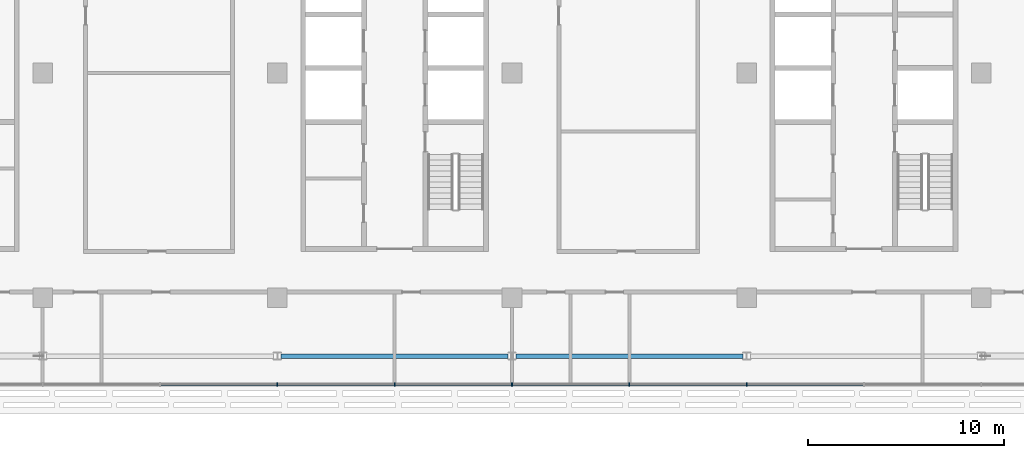
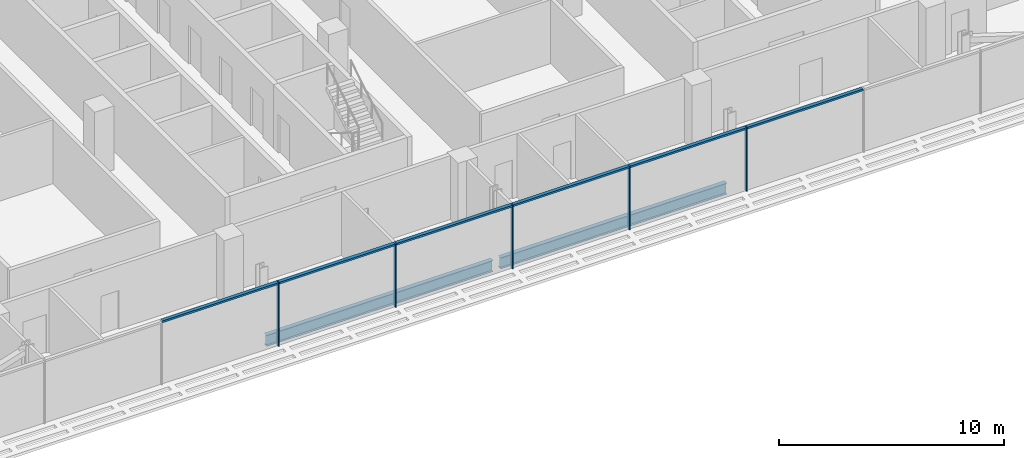
# One storey, part 8 of 32: 11 members, 2 beams, 1 element without a shape of its own.
"""IFC4 building model written with IfcOpenShell, lengths in metres."""

from ifc_helpers import new_model, si_unit, direction, frame, origin, origin_2d, place, context, subcontext, project, spatial, rectangle, i_section, extrude, material, material_profile, profile_set, type_object, element, aggregate, save


model = new_model("IFC4")

# Units and contexts
model_context = context("Model", 3, precision=1e-05, world=origin(), true_north=direction((0.0, 1.0)))
body_context = subcontext(model_context, "Body", "Model", "MODEL_VIEW")
ifc_project = project(units=[si_unit("LENGTHUNIT", "METRE"), si_unit("AREAUNIT", "SQUARE_METRE"), si_unit("VOLUMEUNIT", "CUBIC_METRE"), si_unit("PLANEANGLEUNIT", "RADIAN"), si_unit("MASSUNIT", "GRAM", prefix="KILO")], contexts=[model_context])

# Site, building, storey
site_placement = place(None, origin())
site = spatial("IfcSite", under=ifc_project, at=site_placement, CompositionType="ELEMENT")
building_placement = place(site_placement, origin())
building = spatial("IfcBuilding", under=site, at=building_placement, Name="Mahtab Terrace Research Tower", CompositionType="ELEMENT")
storey_placement = place(building_placement, frame((0.0, 0.0, 240.0)))
storey = spatial("IfcBuildingStorey", under=building, at=storey_placement, Name="L58", CompositionType="ELEMENT", Elevation=240.0)

# Curtain wall, members
ifc_material_1 = material(Name="Office ribbon curtain wall")
curtain_wall_type = type_object("IfcCurtainWallType", Name="Office ribbon curtain wall", PredefinedType="NOTDEFINED", material=ifc_material_1)
curtain_wall_placement = place(storey_placement, origin())
curtain_wall = element("IfcCurtainWall", 1, at=curtain_wall_placement, inside=storey, type_object=curtain_wall_type, Name="EN.L58.13.16", PredefinedType="NOTDEFINED")
ifc_material_2 = material(Name="Natural anodised aluminium", Category="aluminium")
ifc_material_profile_1 = material_profile(ifc_material_2, rectangle(XDim=0.179931640625, YDim=0.06005859375, at=origin_2d()), Name="MULLION 60x180")
ifc_profile_set_1 = profile_set([ifc_material_profile_1], Name="Natural anodised aluminium")
member_type_1 = type_object("IfcMemberType", Name="Office ribbon curtain wall mullion", PredefinedType="MULLION", material=ifc_profile_set_1)
member_1_placement = place(storey_placement, frame((-6.0, -15.9169921875, 0.0), z_axis=(0.0, 0.0, 1.0), x_axis=(0.0, 1.0, 0.0)))
member_1 = element("IfcMember", 2, at=member_1_placement, type_object=member_type_1, Name="CWO-7 mullion 6", PredefinedType="MULLION", context=body_context, shape_type="SweptSolid", body=[
    extrude(rectangle(XDim=0.179931640625, YDim=0.06005859375, at=origin_2d()), origin(), (0.0, 0.0, 1.0), 3.4599609375),
])
member_2_placement = place(storey_placement, frame((0.0, -15.9169921875, 0.0), z_axis=(0.0, 0.0, 1.0), x_axis=(0.0, 1.0, 0.0)))
member_2 = element("IfcMember", 3, at=member_2_placement, type_object=member_type_1, Name="CWO-7 mullion 7", PredefinedType="MULLION", context=body_context, shape_type="SweptSolid", body=[
    extrude(rectangle(XDim=0.179931640625, YDim=0.06005859375, at=origin_2d()), origin(), (0.0, 0.0, 1.0), 3.4599609375),
])
member_3_placement = place(storey_placement, frame((6.0, -15.9169921875, 0.0), z_axis=(0.0, 0.0, 1.0), x_axis=(0.0, 1.0, 0.0)))
member_3 = element("IfcMember", 4, at=member_3_placement, type_object=member_type_1, Name="CWO-7 mullion 8", PredefinedType="MULLION", context=body_context, shape_type="SweptSolid", body=[
    extrude(rectangle(XDim=0.179931640625, YDim=0.06005859375, at=origin_2d()), origin(), (0.0, 0.0, 1.0), 3.4599609375),
])
member_4_placement = place(storey_placement, frame((12.0, -15.9169921875, 0.0), z_axis=(0.0, 0.0, 1.0), x_axis=(0.0, 1.0, 0.0)))
member_4 = element("IfcMember", 5, at=member_4_placement, type_object=member_type_1, Name="CWO-7 mullion 9", PredefinedType="MULLION", context=body_context, shape_type="SweptSolid", body=[
    extrude(rectangle(XDim=0.179931640625, YDim=0.06005859375, at=origin_2d()), origin(), (0.0, 0.0, 1.0), 3.4599609375),
])
member_5_placement = place(storey_placement, frame((18.0, -15.9169921875, 0.0), z_axis=(0.0, 0.0, 1.0), x_axis=(0.0, 1.0, 0.0)))
member_5 = element("IfcMember", 6, at=member_5_placement, type_object=member_type_1, Name="CWO-7 mullion 10", PredefinedType="MULLION", context=body_context, shape_type="SweptSolid", body=[
    extrude(rectangle(XDim=0.179931640625, YDim=0.06005859375, at=origin_2d()), origin(), (0.0, 0.0, 1.0), 3.4599609375),
])
ifc_material_profile_2 = material_profile(ifc_material_2, rectangle(XDim=0.179931640625, YDim=0.10009765625, at=origin_2d()), Name="TRANSOM 100x180")
ifc_profile_set_2 = profile_set([ifc_material_profile_2], Name="Natural anodised aluminium")
member_type_2 = type_object("IfcMemberType", Name="Office ribbon curtain wall transom", PredefinedType="USERDEFINED", material=ifc_profile_set_2)
member_6_placement = place(storey_placement, frame((-11.969970703125, -15.9169921875, 3.409912109375), z_axis=(1.0, 0.0, 0.0), x_axis=(0.0, 1.0, 0.0)))
member_6 = element("IfcMember", 7, at=member_6_placement, type_object=member_type_2, Name="CWO-7 transom 5", ObjectType="TRANSOM", PredefinedType="USERDEFINED", context=body_context, shape_type="SweptSolid", body=[
    extrude(rectangle(XDim=0.179931640625, YDim=0.10009765625, at=origin_2d()), origin(), (0.0, 0.0, 1.0), 5.93994140625),
])
member_7_placement = place(storey_placement, frame((-5.969970703125, -15.9169921875, 3.409912109375), z_axis=(1.0, 0.0, 0.0), x_axis=(0.0, 1.0, 0.0)))
member_7 = element("IfcMember", 8, at=member_7_placement, type_object=member_type_2, Name="CWO-7 transom 6", ObjectType="TRANSOM", PredefinedType="USERDEFINED", context=body_context, shape_type="SweptSolid", body=[
    extrude(rectangle(XDim=0.179931640625, YDim=0.10009765625, at=origin_2d()), origin(), (0.0, 0.0, 1.0), 5.93994140625),
])
member_8_placement = place(storey_placement, frame((0.030029296875, -15.9169921875, 3.409912109375), z_axis=(1.0, 0.0, 0.0), x_axis=(0.0, 1.0, 0.0)))
member_8 = element("IfcMember", 9, at=member_8_placement, type_object=member_type_2, Name="CWO-7 transom 7", ObjectType="TRANSOM", PredefinedType="USERDEFINED", context=body_context, shape_type="SweptSolid", body=[
    extrude(rectangle(XDim=0.179931640625, YDim=0.10009765625, at=origin_2d()), origin(), (0.0, 0.0, 1.0), 5.93994140625),
])
member_9_placement = place(storey_placement, frame((6.030029296875, -15.9169921875, 3.409912109375), z_axis=(1.0, 0.0, 0.0), x_axis=(0.0, 1.0, 0.0)))
member_9 = element("IfcMember", 10, at=member_9_placement, type_object=member_type_2, Name="CWO-7 transom 8", ObjectType="TRANSOM", PredefinedType="USERDEFINED", context=body_context, shape_type="SweptSolid", body=[
    extrude(rectangle(XDim=0.179931640625, YDim=0.10009765625, at=origin_2d()), origin(), (0.0, 0.0, 1.0), 5.93994140625),
])
member_10_placement = place(storey_placement, frame((12.030029296875, -15.9169921875, 3.409912109375), z_axis=(1.0, 0.0, 0.0), x_axis=(0.0, 1.0, 0.0)))
member_10 = element("IfcMember", 11, at=member_10_placement, type_object=member_type_2, Name="CWO-7 transom 9", ObjectType="TRANSOM", PredefinedType="USERDEFINED", context=body_context, shape_type="SweptSolid", body=[
    extrude(rectangle(XDim=0.179931640625, YDim=0.10009765625, at=origin_2d()), origin(), (0.0, 0.0, 1.0), 5.93994140625),
])
member_11_placement = place(storey_placement, frame((18.030029296875, -15.9169921875, 3.409912109375), z_axis=(1.0, 0.0, 0.0), x_axis=(0.0, 1.0, 0.0)))
member_11 = element("IfcMember", 12, at=member_11_placement, type_object=member_type_2, Name="CWO-7 transom 10", ObjectType="TRANSOM", PredefinedType="USERDEFINED", context=body_context, shape_type="SweptSolid", body=[
    extrude(rectangle(XDim=0.179931640625, YDim=0.10009765625, at=origin_2d()), origin(), (0.0, 0.0, 1.0), 5.93994140625),
])
aggregate(curtain_wall, [member_1, member_2, member_3, member_4, member_5, member_6, member_7, member_8, member_9, member_10, member_11])

# Beams
ifc_material_3 = material(Name="Steel ASTM A992 Gr 50", Category="steel")
ifc_material_profile_3 = material_profile(ifc_material_3, i_section(OverallWidth=0.228271484375, OverallDepth=0.607177734375, WebThickness=0.01123046875, FlangeThickness=0.017333984375, at=origin_2d()), Name="W24X76")
ifc_profile_set_3 = profile_set([ifc_material_profile_3], Name="Steel ASTM A992 Gr 50")
beam_type = type_object("IfcBeamType", Name="W24x76 beam BS2476", PredefinedType="BEAM", material=ifc_profile_set_3)
for number, where, z_axis, x_axis, name in (
    (13, (-5.800537109375, -14.472900390625, -0.6435546875), (1.0, 0.0, 0.0), (0.0, 1.0, 0.0), "Spandrel beam L58 15"),
    (14, (6.199462890625, -14.472900390625, -0.6435546875), (1.0, 0.0, 0.0), (0.0, 1.0, 0.0), "Spandrel beam L58 16"),
):
    element("IfcBeam", number, at=place(storey_placement, frame(where, z_axis=z_axis, x_axis=x_axis)), inside=storey, type_object=beam_type, Name=name, PredefinedType="BEAM", context=body_context, shape_type="SweptSolid", body=[
        extrude(i_section(OverallWidth=0.228271484375, OverallDepth=0.607177734375, WebThickness=0.01123046875, FlangeThickness=0.017333984375, at=origin_2d()), origin(), (0.0, 0.0, 1.0), 11.60107421875),
    ])

save(model, "model.ifc")
